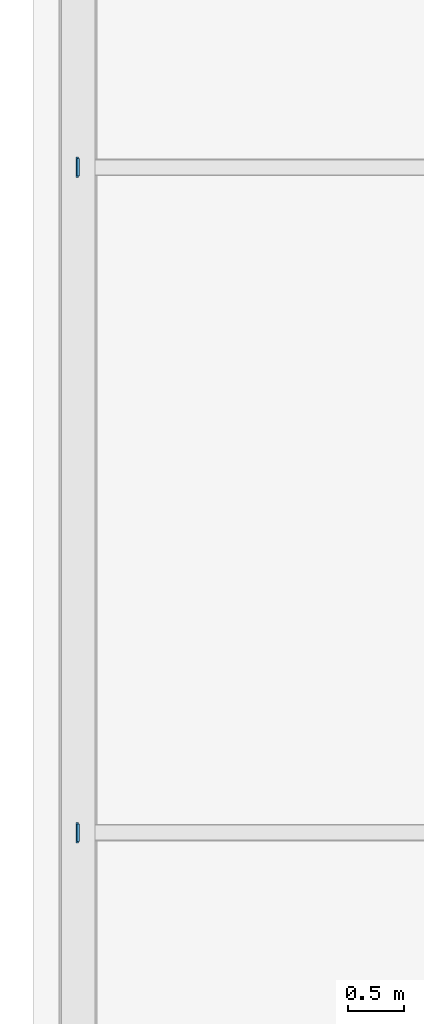
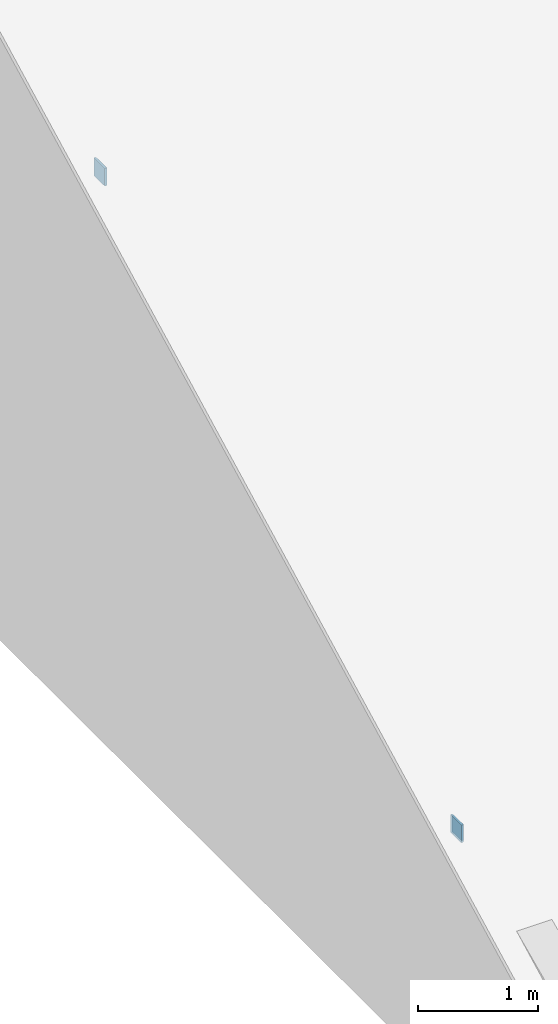
# One storey, part 35 of 45: 4 plates.
"""IFC4 building model written with IfcOpenShell, lengths in metres."""

from ifc_helpers import new_model, si_unit, direction, frame, origin, origin_2d, place, context, subcontext, project, spatial, rectangle, extrude, material, layer, layer_set, type_object, element, save


model = new_model("IFC4")

# Units and contexts
model_context = context("Model", 3, precision=1e-05, world=origin(), true_north=direction((0.0, 1.0)))
body_context = subcontext(model_context, "Body", "Model", "MODEL_VIEW")
ifc_project = project(units=[si_unit("LENGTHUNIT", "METRE"), si_unit("AREAUNIT", "SQUARE_METRE"), si_unit("VOLUMEUNIT", "CUBIC_METRE"), si_unit("PLANEANGLEUNIT", "RADIAN"), si_unit("MASSUNIT", "GRAM", prefix="KILO")], contexts=[model_context])

# Site, building, storey
site_placement = place(None, origin())
site = spatial("IfcSite", under=ifc_project, at=site_placement, CompositionType="ELEMENT")
building_placement = place(site_placement, origin())
building = spatial("IfcBuilding", under=site, at=building_placement, Name="Zhaolan Boulevard Law Courts", CompositionType="ELEMENT")
storey_placement = place(building_placement, frame((0.0, 0.0, 24.60009765625)))
storey = spatial("IfcBuildingStorey", under=building, at=storey_placement, Name="L05", CompositionType="ELEMENT", Elevation=24.60009765625)

# Plates
ifc_material = material(Name="Structural steel Q355B", Category="steel")
ifc_layer = layer(ifc_material, 0.02001953125)
ifc_layer_set = layer_set([ifc_layer])
plate_type = type_object("IfcPlateType", Name="END CAP PLATE 20", PredefinedType="SHEET", material=ifc_layer_set)
for number, where, z_axis, x_axis, name in (
    (1, (0.0, 83.949951171875, 2.62109375), (0.0, 0.0, 1.0), (1.0, 0.0, 0.0), "Library Purlin End-Cap Plate ECP-LPR1SW"),
    (2, (0.0, 89.89990234375, 5.701171875), (0.0, 0.0, 1.0), (1.0, 0.0, 0.0), "Library Purlin End-Cap Plate ECP-LPR2SW"),
):
    element("IfcPlate", number, at=place(storey_placement, frame(where, z_axis=z_axis, x_axis=x_axis)), inside=storey, type_object=plate_type, Name=name, PredefinedType="SHEET", context=body_context, shape_type="SweptSolid", body=[
        extrude(rectangle(XDim=0.02001953125, YDim=0.159912109375, at=origin_2d()), origin(), (0.0, 0.0, 1.0), 0.159912109375),
    ])
for number, where, z_axis, x_axis, name in (
    (3, (-0.008056640625, 83.949951171875, 2.61083984375), (0.0, 0.0, 1.0), (1.0, 0.0, 0.0), "Hollow Section End-Cap Plate ECP-1481"),
    (4, (-0.008056640625, 89.89990234375, 5.69091796875), (0.0, 0.0, 1.0), (1.0, 0.0, 0.0), "Hollow Section End-Cap Plate ECP-1485"),
):
    element("IfcPlate", number, at=place(storey_placement, frame(where, z_axis=z_axis, x_axis=x_axis)), inside=storey, type_object=plate_type, Name=name, PredefinedType="SHEET", context=body_context, shape_type="SweptSolid", body=[
        extrude(rectangle(XDim=0.02001953125, YDim=0.179931640625, at=origin_2d()), origin(), (0.0, 0.0, 1.0), 0.179931640625),
    ])

save(model, "model.ifc")
